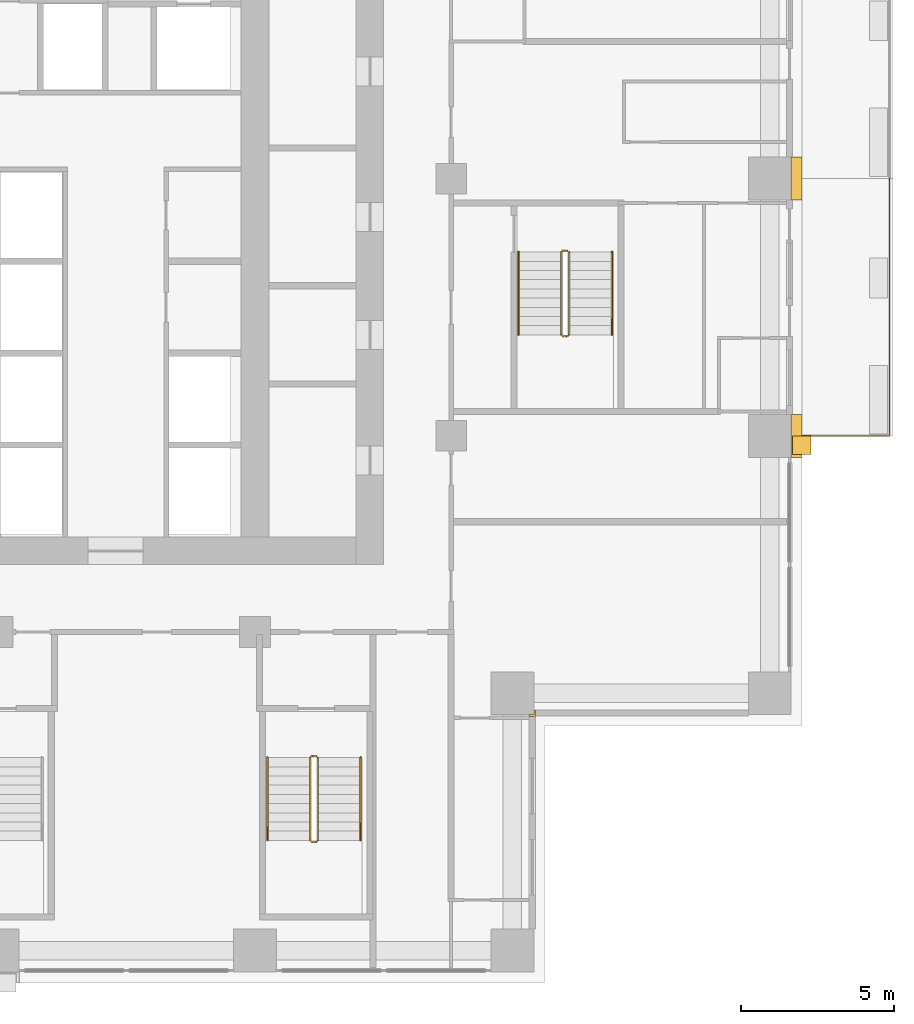
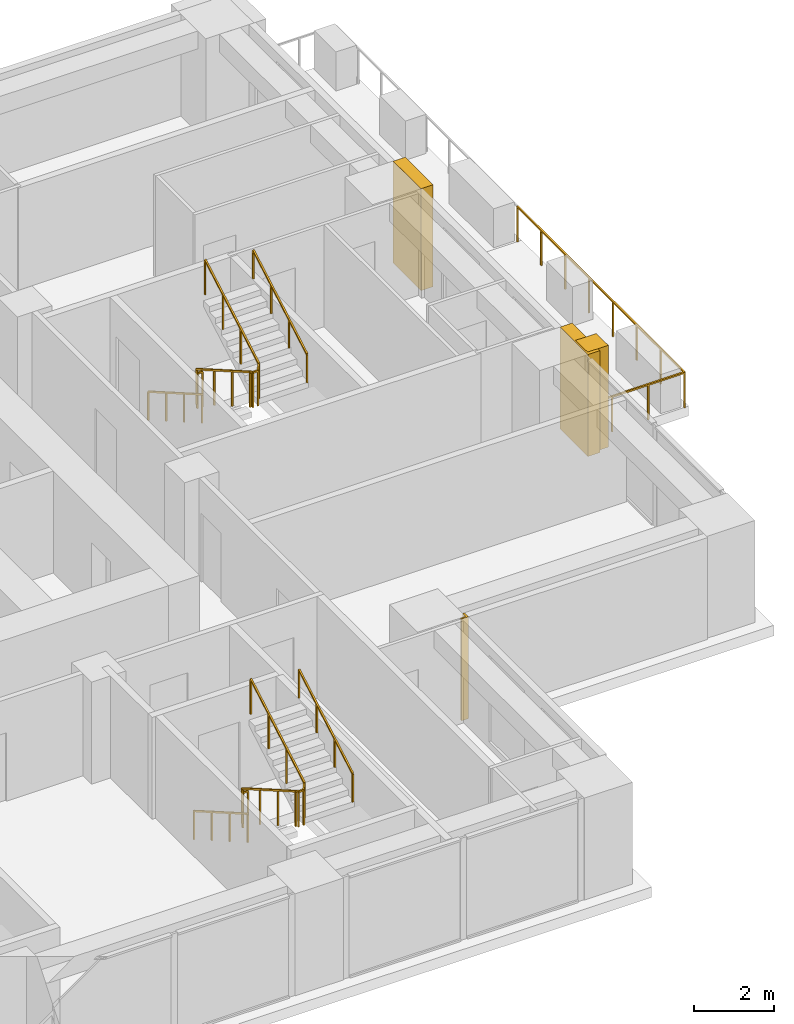
# One storey, part 15 of 17: 7 railings, 4 coverings.
"""IFC4 building model written with IfcOpenShell, lengths in metres."""

from ifc_helpers import new_model, si_unit, direction, frame, origin, origin_2d, place, context, subcontext, project, spatial, polyline, rectangle, outline, extrude, material, type_object, element, save


model = new_model("IFC4")

# Units and contexts
model_context = context("Model", 3, precision=1e-05, world=origin(), true_north=direction((0.0, 1.0)))
body_context = subcontext(model_context, "Body", "Model", "MODEL_VIEW")
ifc_project = project(units=[si_unit("LENGTHUNIT", "METRE"), si_unit("AREAUNIT", "SQUARE_METRE"), si_unit("VOLUMEUNIT", "CUBIC_METRE"), si_unit("PLANEANGLEUNIT", "RADIAN"), si_unit("MASSUNIT", "GRAM", prefix="KILO")], contexts=[model_context])

# Site, building, storey
site_placement = place(None, origin())
site = spatial("IfcSite", under=ifc_project, at=site_placement, CompositionType="ELEMENT")
building_placement = place(site_placement, origin())
building = spatial("IfcBuilding", under=site, at=building_placement, Name="Vermilion Ogive Tower", CompositionType="ELEMENT")
storey_placement = place(building_placement, frame((0.0, 0.0, 58.64990234375)))
storey = spatial("IfcBuildingStorey", under=building, at=storey_placement, Name="L13", CompositionType="ELEMENT", Elevation=58.64990234375)

# Railings
ifc_material_1 = material(Name="Stainless steel and glass", Category="steel")
railing_type_1 = type_object("IfcRailingType", Name="Balcony guard", PredefinedType="GUARDRAIL", material=ifc_material_1)
railing_1_placement = place(storey_placement, frame((25.949951171875, -4.199951171875, -0.039794921875)))
element("IfcRailing", 1, at=railing_1_placement, inside=storey, type_object=railing_type_1, Name="Guard E02", PredefinedType="GUARDRAIL", context=body_context, shape_type="SweptSolid", body=[
    extrude(rectangle(XDim=0.048095703125, YDim=0.048095703125, at=origin_2d()), frame((0.0, 0.0, 1.076171875), z_axis=(1.0, 0.0, 0.0), x_axis=(0.0, 1.0, 0.0)), (0.0, 0.0, 1.0), 3.16015625),
    extrude(rectangle(XDim=0.048095703125, YDim=0.048095703125, at=origin_2d()), frame((3.16015625, 0.0, 1.076171875), z_axis=(0.0, 1.0, 0.0), x_axis=(-1.0, 0.0, 0.0)), (0.0, 0.0, 1.0), 8.39990234375),
    extrude(rectangle(XDim=0.0419921875, YDim=0.0419921875, at=origin_2d()), origin(), (0.0, 0.0, 1.0), 1.052001953125),
    extrude(rectangle(XDim=0.0419921875, YDim=0.0419921875, at=origin_2d()), frame((1.053466796875, 0.0, 0.0)), (0.0, 0.0, 1.0), 1.052001953125),
    extrude(rectangle(XDim=0.0419921875, YDim=0.0419921875, at=origin_2d()), frame((2.106689453125, 0.0, 0.0)), (0.0, 0.0, 1.0), 1.052001953125),
    extrude(rectangle(XDim=0.0419921875, YDim=0.0419921875, at=origin_2d()), frame((3.16015625, 0.0, 0.0)), (0.0, 0.0, 1.0), 1.052001953125),
    extrude(rectangle(XDim=0.0419921875, YDim=0.0419921875, at=origin_2d()), frame((3.16015625, 1.199951171875, 0.0)), (0.0, 0.0, 1.0), 1.052001953125),
    extrude(rectangle(XDim=0.0419921875, YDim=0.0419921875, at=origin_2d()), frame((3.16015625, 2.39990234375, 0.0)), (0.0, 0.0, 1.0), 1.052001953125),
    extrude(rectangle(XDim=0.0419921875, YDim=0.0419921875, at=origin_2d()), frame((3.16015625, 3.599853515625, 0.0)), (0.0, 0.0, 1.0), 1.052001953125),
    extrude(rectangle(XDim=0.0419921875, YDim=0.0419921875, at=origin_2d()), frame((3.16015625, 4.800048828125, 0.0)), (0.0, 0.0, 1.0), 1.052001953125),
    extrude(rectangle(XDim=0.0419921875, YDim=0.0419921875, at=origin_2d()), frame((3.16015625, 6.0, 0.0)), (0.0, 0.0, 1.0), 1.052001953125),
    extrude(rectangle(XDim=0.0419921875, YDim=0.0419921875, at=origin_2d()), frame((3.16015625, 7.199951171875, 0.0)), (0.0, 0.0, 1.0), 1.052001953125),
    extrude(rectangle(XDim=0.0419921875, YDim=0.0419921875, at=origin_2d()), frame((3.16015625, 8.39990234375, 0.0)), (0.0, 0.0, 1.0), 1.052001953125),
])
ifc_material_2 = material(Name="Steel S355 painted", Category="steel")
railing_type_2 = type_object("IfcRailingType", Name="Stair guard 1100", PredefinedType="GUARDRAIL", material=ifc_material_2)
railing_2_placement = place(storey_placement, frame((10.39990234375, -14.64990234375, 0.0)))
element("IfcRailing", 2, at=railing_2_placement, inside=storey, type_object=railing_type_2, Name="L13 ST5 stair guard 4", PredefinedType="GUARDRAIL", context=body_context, shape_type="SweptSolid", body=[
    extrude(rectangle(XDim=0.048095703125, YDim=0.048095703125, at=origin_2d()), frame((0.0, 0.0, 1.076171875), z_axis=(-1.0, 0.0, 0.0), x_axis=(0.0, -1.0, 0.0)), (0.0, 0.0, 1.0), 0.14990234375),
    extrude(rectangle(XDim=0.048095703125, YDim=0.048095703125, at=origin_2d()), frame((-0.14990234375, 0.0, 1.076171875), z_axis=(-0.268277960024, -0.268277960024, 0.925231793839), x_axis=(0.707106781187, -0.707106781187, 0.0)), (0.0, 0.0, 1.0), 0.1865234375),
    extrude(rectangle(XDim=0.048095703125, YDim=0.048095703125, at=origin_2d()), frame((-0.199951171875, -0.050048828125, 1.24853515625), z_axis=(0.0, -0.866903762492, 0.498475542607), x_axis=(1.0, 0.0, 0.0)), (0.0, 0.0, 1.0), 3.114501953125),
    extrude(rectangle(XDim=0.048095703125, YDim=0.048095703125, at=origin_2d()), frame((-0.199951171875, -2.75, 2.80126953125), z_axis=(0.707106781187, -0.707106781187, 0.0), x_axis=(0.707106781187, 0.707106781187, 0.0)), (0.0, 0.0, 1.0), 0.07080078125),
    extrude(rectangle(XDim=0.048095703125, YDim=0.048095703125, at=origin_2d()), frame((-0.14990234375, -2.800048828125, 2.80126953125), z_axis=(1.0, 0.0, 0.0), x_axis=(0.0, 1.0, 0.0)), (0.0, 0.0, 1.0), 0.14990234375),
    extrude(rectangle(XDim=0.048095703125, YDim=0.048095703125, at=origin_2d()), frame((0.0, -2.800048828125, 2.80126953125), z_axis=(0.268277960024, 0.268277960024, 0.925231793839), x_axis=(-0.707106781187, 0.707106781187, 0.0)), (0.0, 0.0, 1.0), 0.1865234375),
    extrude(rectangle(XDim=0.048095703125, YDim=0.048095703125, at=origin_2d()), frame((0.050048828125, -2.75, 2.9736328125), z_axis=(0.0, 0.866903762492, 0.498475542607), x_axis=(-1.0, 0.0, 0.0)), (0.0, 0.0, 1.0), 3.114501953125),
    extrude(rectangle(XDim=0.0419921875, YDim=0.0419921875, at=origin_2d()), origin(), (0.0, 0.0, 1.0), 1.052001953125),
    extrude(rectangle(XDim=0.0419921875, YDim=0.0419921875, at=origin_2d()), frame((-0.14990234375, 0.0, 0.0)), (0.0, 0.0, 1.0), 1.052001953125),
    extrude(rectangle(XDim=0.0419921875, YDim=0.0419921875, at=origin_2d()), frame((-0.199951171875, -0.050048828125, 0.172607421875)), (0.0, 0.0, 1.0), 1.052001953125),
    extrude(rectangle(XDim=0.0419921875, YDim=0.0419921875, at=origin_2d()), frame((-0.199951171875, -0.949951171875, 0.690185546875)), (0.0, 0.0, 1.0), 1.052001953125),
    extrude(rectangle(XDim=0.0419921875, YDim=0.0419921875, at=origin_2d()), frame((-0.199951171875, -1.85009765625, 1.20751953125)), (0.0, 0.0, 1.0), 1.052001953125),
    extrude(rectangle(XDim=0.0419921875, YDim=0.0419921875, at=origin_2d()), frame((-0.199951171875, -2.75, 1.72509765625)), (0.0, 0.0, 1.0), 1.052001953125),
    extrude(rectangle(XDim=0.0419921875, YDim=0.0419921875, at=origin_2d()), frame((-0.14990234375, -2.800048828125, 1.72509765625)), (0.0, 0.0, 1.0), 1.052001953125),
    extrude(rectangle(XDim=0.0419921875, YDim=0.0419921875, at=origin_2d()), frame((0.0, -2.800048828125, 1.72509765625)), (0.0, 0.0, 1.0), 1.052001953125),
    extrude(rectangle(XDim=0.0419921875, YDim=0.0419921875, at=origin_2d()), frame((0.050048828125, -2.75, 1.897705078125)), (0.0, 0.0, 1.0), 1.052001953125),
    extrude(rectangle(XDim=0.0419921875, YDim=0.0419921875, at=origin_2d()), frame((0.050048828125, -1.85009765625, 2.415283203125)), (0.0, 0.0, 1.0), 1.052001953125),
    extrude(rectangle(XDim=0.0419921875, YDim=0.0419921875, at=origin_2d()), frame((0.050048828125, -0.949951171875, 2.9326171875)), (0.0, 0.0, 1.0), 1.052001953125),
    extrude(rectangle(XDim=0.0419921875, YDim=0.0419921875, at=origin_2d()), frame((0.050048828125, -0.050048828125, 3.4501953125)), (0.0, 0.0, 1.0), 1.052001953125),
])
railing_3_placement = place(storey_placement, frame((18.60009765625, 1.85009765625, 0.0)))
element("IfcRailing", 3, at=railing_3_placement, inside=storey, type_object=railing_type_2, Name="L13 ST8 stair guard 4", PredefinedType="GUARDRAIL", context=body_context, shape_type="SweptSolid", body=[
    extrude(rectangle(XDim=0.048095703125, YDim=0.048095703125, at=origin_2d()), frame((0.0, 0.0, 1.076171875), z_axis=(-1.0, 0.0, 0.0), x_axis=(0.0, -1.0, 0.0)), (0.0, 0.0, 1.0), 0.150146484375),
    extrude(rectangle(XDim=0.048095703125, YDim=0.048095703125, at=origin_2d()), frame((-0.150146484375, 0.0, 1.076171875), z_axis=(-0.268277960024, -0.268277960024, 0.925231793839), x_axis=(0.707106781187, -0.707106781187, 0.0)), (0.0, 0.0, 1.0), 0.1865234375),
    extrude(rectangle(XDim=0.048095703125, YDim=0.048095703125, at=origin_2d()), frame((-0.2001953125, -0.050048828125, 1.24853515625), z_axis=(0.0, -0.866903762492, 0.498475542607), x_axis=(1.0, 0.0, 0.0)), (0.0, 0.0, 1.0), 3.114501953125),
    extrude(rectangle(XDim=0.048095703125, YDim=0.048095703125, at=origin_2d()), frame((-0.2001953125, -2.75, 2.80126953125), z_axis=(0.707106781187, -0.707106781187, 0.0), x_axis=(0.707106781187, 0.707106781187, 0.0)), (0.0, 0.0, 1.0), 0.07080078125),
    extrude(rectangle(XDim=0.048095703125, YDim=0.048095703125, at=origin_2d()), frame((-0.150146484375, -2.800048828125, 2.80126953125), z_axis=(1.0, 0.0, 0.0), x_axis=(0.0, 1.0, 0.0)), (0.0, 0.0, 1.0), 0.150146484375),
    extrude(rectangle(XDim=0.048095703125, YDim=0.048095703125, at=origin_2d()), frame((0.0, -2.800048828125, 2.80126953125), z_axis=(0.267062837333, 0.268371968888, 0.925556009775), x_axis=(-0.708833529934, 0.705375805398, 0.0)), (0.0, 0.0, 1.0), 0.1865234375),
    extrude(rectangle(XDim=0.048095703125, YDim=0.048095703125, at=origin_2d()), frame((0.0498046875, -2.75, 2.9736328125), z_axis=(0.0, 0.866903762492, 0.498475542607), x_axis=(-1.0, 0.0, 0.0)), (0.0, 0.0, 1.0), 3.114501953125),
    extrude(rectangle(XDim=0.0419921875, YDim=0.0419921875, at=origin_2d()), origin(), (0.0, 0.0, 1.0), 1.052001953125),
    extrude(rectangle(XDim=0.0419921875, YDim=0.0419921875, at=origin_2d()), frame((-0.150146484375, 0.0, 0.0)), (0.0, 0.0, 1.0), 1.052001953125),
    extrude(rectangle(XDim=0.0419921875, YDim=0.0419921875, at=origin_2d()), frame((-0.2001953125, -0.050048828125, 0.172607421875)), (0.0, 0.0, 1.0), 1.052001953125),
    extrude(rectangle(XDim=0.0419921875, YDim=0.0419921875, at=origin_2d()), frame((-0.2001953125, -0.949951171875, 0.690185546875)), (0.0, 0.0, 1.0), 1.052001953125),
    extrude(rectangle(XDim=0.0419921875, YDim=0.0419921875, at=origin_2d()), frame((-0.2001953125, -1.85009765625, 1.20751953125)), (0.0, 0.0, 1.0), 1.052001953125),
    extrude(rectangle(XDim=0.0419921875, YDim=0.0419921875, at=origin_2d()), frame((-0.2001953125, -2.75, 1.72509765625)), (0.0, 0.0, 1.0), 1.052001953125),
    extrude(rectangle(XDim=0.0419921875, YDim=0.0419921875, at=origin_2d()), frame((-0.150146484375, -2.800048828125, 1.72509765625)), (0.0, 0.0, 1.0), 1.052001953125),
    extrude(rectangle(XDim=0.0419921875, YDim=0.0419921875, at=origin_2d()), frame((0.0, -2.800048828125, 1.72509765625)), (0.0, 0.0, 1.0), 1.052001953125),
    extrude(rectangle(XDim=0.0419921875, YDim=0.0419921875, at=origin_2d()), frame((0.0498046875, -2.75, 1.897705078125)), (0.0, 0.0, 1.0), 1.052001953125),
    extrude(rectangle(XDim=0.0419921875, YDim=0.0419921875, at=origin_2d()), frame((0.0498046875, -1.85009765625, 2.415283203125)), (0.0, 0.0, 1.0), 1.052001953125),
    extrude(rectangle(XDim=0.0419921875, YDim=0.0419921875, at=origin_2d()), frame((0.0498046875, -0.949951171875, 2.9326171875)), (0.0, 0.0, 1.0), 1.052001953125),
    extrude(rectangle(XDim=0.0419921875, YDim=0.0419921875, at=origin_2d()), frame((0.0498046875, -0.050048828125, 3.4501953125)), (0.0, 0.0, 1.0), 1.052001953125),
])
ifc_material_3 = material(Name="Stainless steel", Category="steel")
railing_type_3 = type_object("IfcRailingType", Name="Stair handrail 900", PredefinedType="HANDRAIL", material=ifc_material_3)
railing_4_placement = place(storey_placement, frame((8.800048828125, -14.699951171875, 0.172607421875)))
element("IfcRailing", 4, at=railing_4_placement, inside=storey, type_object=railing_type_3, Name="L13 ST5 stair handrail 1", PredefinedType="HANDRAIL", context=body_context, shape_type="SweptSolid", body=[
    extrude(rectangle(XDim=0.048095703125, YDim=0.048095703125, at=origin_2d()), frame((0.0, 0.0, 0.8759765625), z_axis=(0.0, -0.866903762492, 0.498475542607), x_axis=(1.0, 0.0, 0.0)), (0.0, 0.0, 1.0), 3.114501953125),
    extrude(rectangle(XDim=0.0419921875, YDim=0.0419921875, at=origin_2d()), origin(), (0.0, 0.0, 1.0), 0.851806640625),
    extrude(rectangle(XDim=0.0419921875, YDim=0.0419921875, at=origin_2d()), frame((0.0, -0.89990234375, 0.517578125)), (0.0, 0.0, 1.0), 0.851806640625),
    extrude(rectangle(XDim=0.0419921875, YDim=0.0419921875, at=origin_2d()), frame((0.0, -1.800048828125, 1.034912109375)), (0.0, 0.0, 1.0), 0.851806640625),
    extrude(rectangle(XDim=0.0419921875, YDim=0.0419921875, at=origin_2d()), frame((0.0, -2.699951171875, 1.552490234375)), (0.0, 0.0, 1.0), 0.851806640625),
])
railing_5_placement = place(storey_placement, frame((11.85009765625, -17.39990234375, 1.897705078125)))
element("IfcRailing", 5, at=railing_5_placement, inside=storey, type_object=railing_type_3, Name="L13 ST5 stair handrail 2", PredefinedType="HANDRAIL", context=body_context, shape_type="SweptSolid", body=[
    extrude(rectangle(XDim=0.048095703125, YDim=0.048095703125, at=origin_2d()), frame((0.0, 0.0, 0.8759765625), z_axis=(0.0, 0.866903762492, 0.498475542607), x_axis=(-1.0, 0.0, 0.0)), (0.0, 0.0, 1.0), 3.114501953125),
    extrude(rectangle(XDim=0.0419921875, YDim=0.0419921875, at=origin_2d()), origin(), (0.0, 0.0, 1.0), 0.851806640625),
    extrude(rectangle(XDim=0.0419921875, YDim=0.0419921875, at=origin_2d()), frame((0.0, 0.89990234375, 0.517578125)), (0.0, 0.0, 1.0), 0.851806640625),
    extrude(rectangle(XDim=0.0419921875, YDim=0.0419921875, at=origin_2d()), frame((0.0, 1.800048828125, 1.034912109375)), (0.0, 0.0, 1.0), 0.851806640625),
    extrude(rectangle(XDim=0.0419921875, YDim=0.0419921875, at=origin_2d()), frame((0.0, 2.699951171875, 1.552490234375)), (0.0, 0.0, 1.0), 0.851806640625),
])
railing_6_placement = place(storey_placement, frame((17.0, 1.800048828125, 0.172607421875)))
element("IfcRailing", 6, at=railing_6_placement, inside=storey, type_object=railing_type_3, Name="L13 ST8 stair handrail 1", PredefinedType="HANDRAIL", context=body_context, shape_type="SweptSolid", body=[
    extrude(rectangle(XDim=0.048095703125, YDim=0.048095703125, at=origin_2d()), frame((0.0, 0.0, 0.8759765625), z_axis=(0.0, -0.866903762492, 0.498475542607), x_axis=(1.0, 0.0, 0.0)), (0.0, 0.0, 1.0), 3.114501953125),
    extrude(rectangle(XDim=0.0419921875, YDim=0.0419921875, at=origin_2d()), origin(), (0.0, 0.0, 1.0), 0.851806640625),
    extrude(rectangle(XDim=0.0419921875, YDim=0.0419921875, at=origin_2d()), frame((0.0, -0.89990234375, 0.517578125)), (0.0, 0.0, 1.0), 0.851806640625),
    extrude(rectangle(XDim=0.0419921875, YDim=0.0419921875, at=origin_2d()), frame((0.0, -1.800048828125, 1.034912109375)), (0.0, 0.0, 1.0), 0.851806640625),
    extrude(rectangle(XDim=0.0419921875, YDim=0.0419921875, at=origin_2d()), frame((0.0, -2.699951171875, 1.552490234375)), (0.0, 0.0, 1.0), 0.851806640625),
])
railing_7_placement = place(storey_placement, frame((20.050048828125, -0.89990234375, 1.897705078125)))
element("IfcRailing", 7, at=railing_7_placement, inside=storey, type_object=railing_type_3, Name="L13 ST8 stair handrail 2", PredefinedType="HANDRAIL", context=body_context, shape_type="SweptSolid", body=[
    extrude(rectangle(XDim=0.048095703125, YDim=0.048095703125, at=origin_2d()), frame((0.0, 0.0, 0.8759765625), z_axis=(0.0, 0.866903762492, 0.498475542607), x_axis=(-1.0, 0.0, 0.0)), (0.0, 0.0, 1.0), 3.114501953125),
    extrude(rectangle(XDim=0.0419921875, YDim=0.0419921875, at=origin_2d()), origin(), (0.0, 0.0, 1.0), 0.851806640625),
    extrude(rectangle(XDim=0.0419921875, YDim=0.0419921875, at=origin_2d()), frame((0.0, 0.89990234375, 0.517578125)), (0.0, 0.0, 1.0), 0.851806640625),
    extrude(rectangle(XDim=0.0419921875, YDim=0.0419921875, at=origin_2d()), frame((0.0, 1.800048828125, 1.034912109375)), (0.0, 0.0, 1.0), 0.851806640625),
    extrude(rectangle(XDim=0.0419921875, YDim=0.0419921875, at=origin_2d()), frame((0.0, 2.699951171875, 1.552490234375)), (0.0, 0.0, 1.0), 0.851806640625),
])

# Coverings
ifc_material_4 = material(Name="Stone cladding", Category="masonry")
covering_type_1 = type_object("IfcCoveringType", Name="Stone corner buttress", PredefinedType="CLADDING", material=ifc_material_4)
covering_1_placement = place(storey_placement, origin())
element("IfcCovering", 8, at=covering_1_placement, inside=storey, type_object=covering_type_1, Name="Stone crease pier EK", PredefinedType="CLADDING", context=body_context, shape_type="SweptSolid", body=[
    extrude(outline(polyline([(26.550048828125, -4.800048828125), (26.550048828125, -4.199951171875), (25.949951171875, -4.199951171875), (25.949951171875, -4.800048828125), (26.550048828125, -4.800048828125)])), origin(), (0.0, 0.0, 1.0), 3.130126953125),
])
ifc_material_5 = material(Name="Stone cladding", Category="masonry")
covering_type_2 = type_object("IfcCoveringType", Name="Stone pier", PredefinedType="CLADDING", material=ifc_material_5)
covering_2_placement = place(storey_placement, origin())
element("IfcCovering", 9, at=covering_2_placement, inside=storey, type_object=covering_type_2, Name="Stone corner pier X1E1", PredefinedType="CLADDING", context=body_context, shape_type="SweptSolid", body=[
    extrude(outline(polyline([(17.35009765625, -13.300048828125), (17.5, -13.300048828125), (17.5, -13.14990234375), (17.550048828125, -13.14990234375), (17.550048828125, -13.35009765625), (17.35009765625, -13.35009765625), (17.35009765625, -13.300048828125)])), origin(), (0.0, 0.0, 1.0), 3.130126953125),
])
covering_3_placement = place(storey_placement, origin())
element("IfcCovering", 10, at=covering_3_placement, inside=storey, type_object=covering_type_2, Name="Stone pier P+0252+042", PredefinedType="CLADDING", context=body_context, shape_type="SweptSolid", body=[
    extrude(outline(polyline([(26.25, 4.89990234375), (26.25, 3.5), (25.89990234375, 3.5), (25.89990234375, 4.89990234375), (26.25, 4.89990234375)])), origin(), (0.0, 0.0, 1.0), 3.130126953125),
])
covering_4_placement = place(storey_placement, origin())
element("IfcCovering", 11, at=covering_4_placement, inside=storey, type_object=covering_type_2, Name="Stone pier P+0252-042", PredefinedType="CLADDING", context=body_context, shape_type="SweptSolid", body=[
    extrude(outline(polyline([(26.25, -3.5), (26.25, -4.199951171875), (25.949951171875, -4.199951171875), (25.949951171875, -4.800048828125), (26.25, -4.800048828125), (26.25, -4.89990234375), (25.89990234375, -4.89990234375), (25.89990234375, -3.5), (26.25, -3.5)])), origin(), (0.0, 0.0, 1.0), 3.130126953125),
])

save(model, "model.ifc")
